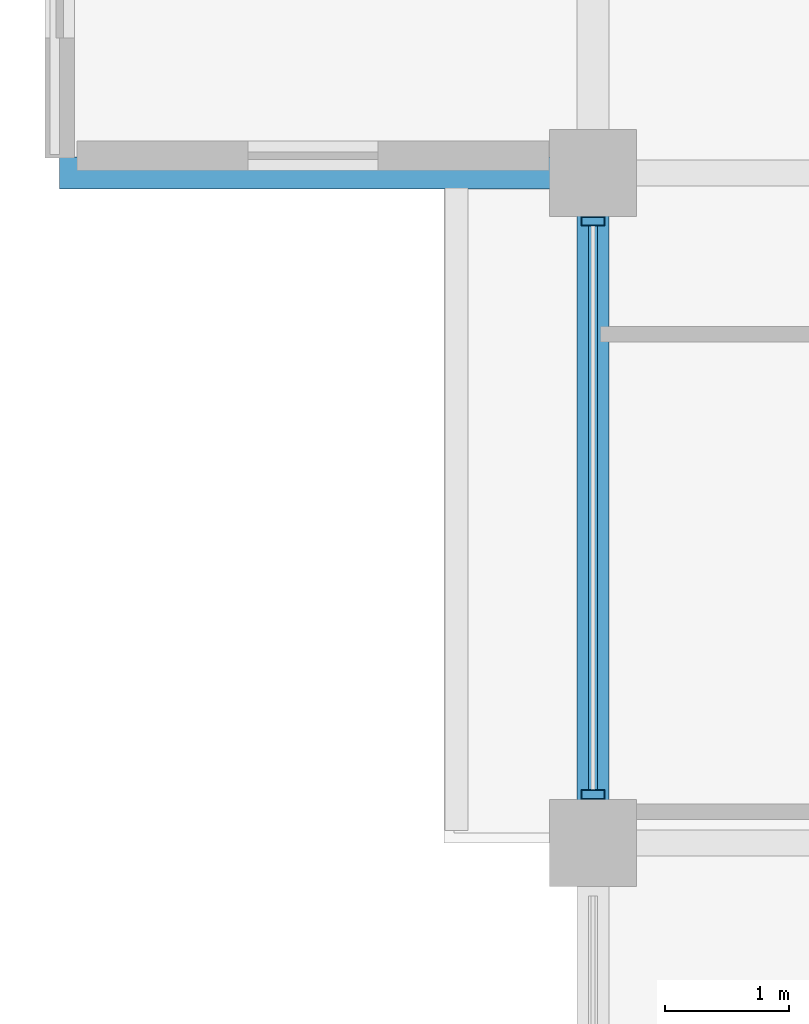
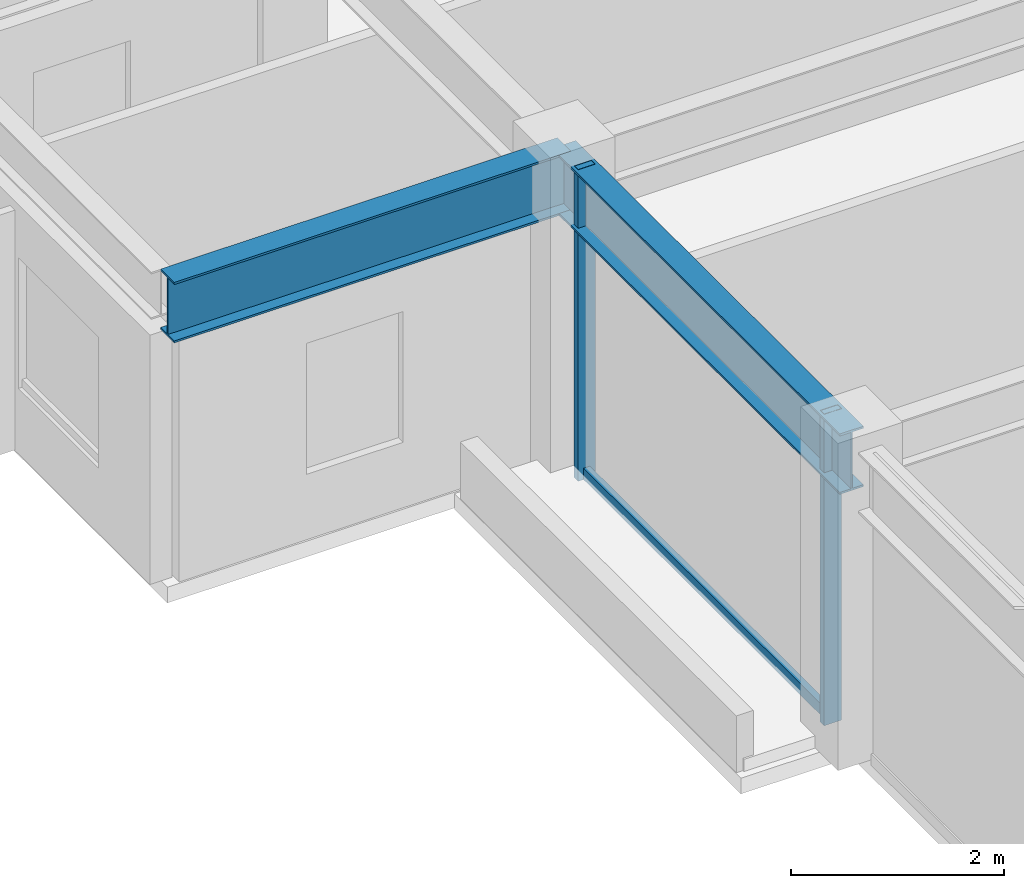
# One storey, part 5 of 31: 3 members, 2 beams, 1 element without a shape of its own.
"""IFC4 building model written with IfcOpenShell, lengths in metres."""

from ifc_helpers import new_model, si_unit, direction, frame, origin, origin_2d, place, context, subcontext, project, spatial, hollow_rectangle, i_section, extrude, material, layer, layer_set, material_profile, profile_set, type_object, element, aggregate, save


model = new_model("IFC4")

# Units and contexts
model_context = context("Model", 3, precision=1e-05, world=origin(), true_north=direction((0.0, 1.0)))
body_context = subcontext(model_context, "Body", "Model", "MODEL_VIEW")
ifc_project = project(units=[si_unit("LENGTHUNIT", "METRE"), si_unit("AREAUNIT", "SQUARE_METRE"), si_unit("VOLUMEUNIT", "CUBIC_METRE"), si_unit("PLANEANGLEUNIT", "RADIAN"), si_unit("MASSUNIT", "GRAM", prefix="KILO")], contexts=[model_context])

# Site, building, storey
site_placement = place(None, origin())
site = spatial("IfcSite", under=ifc_project, at=site_placement, CompositionType="ELEMENT")
building_placement = place(site_placement, origin())
building = spatial("IfcBuilding", under=site, at=building_placement, Name="Surkhivell Harbour Commons", CompositionType="ELEMENT")
storey_placement = place(building_placement, frame((0.0, 0.0, 315.0)))
storey = spatial("IfcBuildingStorey", under=building, at=storey_placement, Name="L82", CompositionType="ELEMENT", Elevation=315.0)

# Beams
ifc_material_1 = material(Name="Steel S460", Category="steel")
ifc_material_profile_1 = material_profile(ifc_material_1, i_section(OverallWidth=0.256103515625, OverallDepth=0.693115234375, WebThickness=0.014404296875, FlangeThickness=0.023681640625, at=origin_2d()), Name="UB686x254x170")
ifc_profile_set_1 = profile_set([ifc_material_profile_1], Name="Steel S460")
beam_type_1 = type_object("IfcBeamType", Name="BM-CNT-686", PredefinedType="BEAM", material=ifc_profile_set_1)
beam_1_placement = place(storey_placement, frame((-27.0, 0.0, 3.223388671875), z_axis=(-1.0, 0.0, 0.0), x_axis=(0.0, -1.0, 0.0)))
element("IfcBeam", 1, at=beam_1_placement, inside=storey, type_object=beam_type_1, Name="L82 Box Cantilever Outrigger (-27.0,0.0)", PredefinedType="BEAM", context=body_context, shape_type="SweptSolid", body=[
    extrude(i_section(OverallWidth=0.256103515625, OverallDepth=0.693115234375, WebThickness=0.014404296875, FlangeThickness=0.023681640625, at=origin_2d()), origin(), (0.0, 0.0, 1.0), 4.300048828125),
])
ifc_material_2 = material(Name="Steel S355", Category="steel")
ifc_material_profile_2 = material_profile(ifc_material_2, i_section(OverallWidth=0.256103515625, OverallDepth=0.693115234375, WebThickness=0.014404296875, FlangeThickness=0.023681640625, at=origin_2d()), Name="UB686x254x170")
ifc_profile_set_2 = profile_set([ifc_material_profile_2], Name="Steel S355")
beam_type_2 = type_object("IfcBeamType", Name="BM-SPN-686", PredefinedType="SPANDREL", material=ifc_profile_set_2)
beam_2_placement = place(storey_placement, frame((-27.0, -5.39990234375, 3.223388671875), z_axis=(0.0, 1.0, 0.0), x_axis=(-1.0, 0.0, 0.0)))
element("IfcBeam", 2, at=beam_2_placement, inside=storey, type_object=beam_type_2, Name="L82 Tube Spandrel (-27.0,-5.4)", PredefinedType="SPANDREL", context=body_context, shape_type="SweptSolid", body=[
    extrude(i_section(OverallWidth=0.256103515625, OverallDepth=0.693115234375, WebThickness=0.014404296875, FlangeThickness=0.023681640625, at=origin_2d()), origin(), (0.0, 0.0, 1.0), 5.39990234375),
])

# Curtain wall, members
ifc_material_3 = material(Name="Anodised pale-metal aluminium and insulated glazing", Category="aluminium")
ifc_layer = layer(ifc_material_3, 0.175048828125)
ifc_layer_set = layer_set([ifc_layer], Name="Anodised pale-metal aluminium and insulated glazing")
curtain_wall_type = type_object("IfcCurtainWallType", Name="CW-SYS-Z4", PredefinedType="NOTDEFINED", material=ifc_layer_set)
curtain_wall_placement = place(storey_placement, origin())
curtain_wall = element("IfcCurtainWall", 3, at=curtain_wall_placement, inside=storey, type_object=curtain_wall_type, Name="L82 Curtain Wall CW-L82-E12R1S1", PredefinedType="NOTDEFINED")
ifc_material_4 = material(Name="Anodised pale-metal aluminium alloy 6063-T6", Category="aluminium")
ifc_material_profile_3 = material_profile(ifc_material_4, hollow_rectangle(XDim=0.074951171875, YDim=0.18994140625, WallThickness=0.00390625, at=origin_2d()), Name="ALU-MULL-75x190")
ifc_profile_set_3 = profile_set([ifc_material_profile_3], Name="Anodised pale-metal aluminium alloy 6063-T6")
member_type_1 = type_object("IfcMemberType", Name="CWM-190", PredefinedType="MULLION", material=ifc_profile_set_3)
member_1_placement = place(storey_placement, frame((-27.0, -5.010498046875, 0.0), z_axis=(0.0, 0.0, 1.0), x_axis=(0.0, 1.0, 0.0)))
member_1 = element("IfcMember", 4, at=member_1_placement, type_object=member_type_1, Name="CW-Z4 mullion 2", PredefinedType="MULLION", context=body_context, shape_type="SweptSolid", body=[
    extrude(hollow_rectangle(XDim=0.074951171875, YDim=0.18994140625, WallThickness=0.00390625, at=origin_2d()), origin(), (0.0, 0.0, 1.0), 3.570068359375),
])
member_2_placement = place(storey_placement, frame((-27.0, -0.389404296875, 0.0), z_axis=(0.0, 0.0, 1.0), x_axis=(0.0, 1.0, 0.0)))
member_2 = element("IfcMember", 5, at=member_2_placement, type_object=member_type_1, Name="CW-Z4 mullion 3", PredefinedType="MULLION", context=body_context, shape_type="SweptSolid", body=[
    extrude(hollow_rectangle(XDim=0.074951171875, YDim=0.18994140625, WallThickness=0.00390625, at=origin_2d()), origin(), (0.0, 0.0, 1.0), 3.570068359375),
])
ifc_material_5 = material(Name="Champagne anodised aluminium alloy 6063-T6", Category="aluminium")
ifc_material_profile_4 = material_profile(ifc_material_5, hollow_rectangle(XDim=0.070068359375, YDim=0.1298828125, WallThickness=0.00341796875, at=origin_2d()), Name="ALU-TRAN-70x130")
ifc_profile_set_4 = profile_set([ifc_material_profile_4], Name="Champagne anodised aluminium alloy 6063-T6")
member_type_2 = type_object("IfcMemberType", Name="CWT-130", PredefinedType="USERDEFINED", material=ifc_profile_set_4)
member_3_placement = place(storey_placement, frame((-27.0, -4.972900390625, 0.06494140625), z_axis=(0.0, 1.0, 0.0), x_axis=(-1.0, 0.0, 0.0)))
member_3 = element("IfcMember", 6, at=member_3_placement, type_object=member_type_2, Name="CW-Z4 transom 2.1", ObjectType="TRANSOM", PredefinedType="USERDEFINED", context=body_context, shape_type="SweptSolid", body=[
    extrude(hollow_rectangle(XDim=0.070068359375, YDim=0.1298828125, WallThickness=0.00341796875, at=origin_2d()), origin(), (0.0, 0.0, 1.0), 4.5458984375),
])
aggregate(curtain_wall, [member_1, member_2, member_3])

save(model, "model.ifc")
